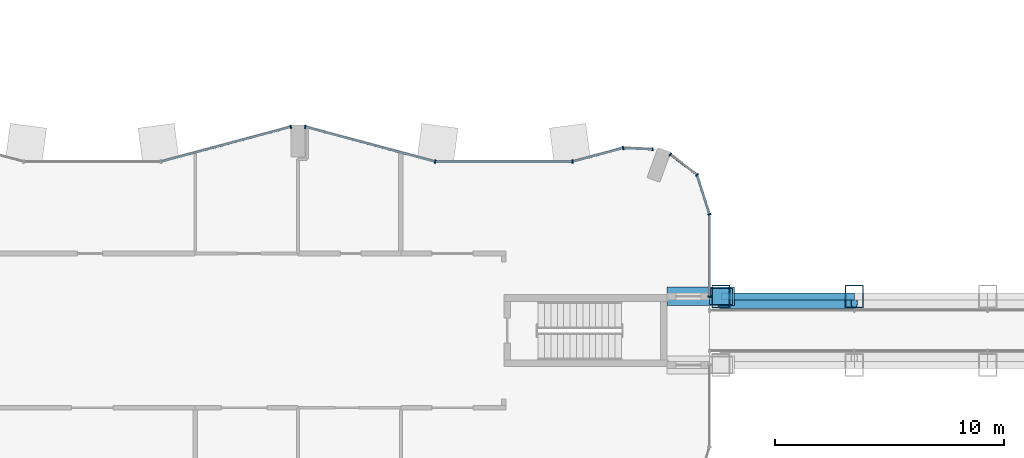
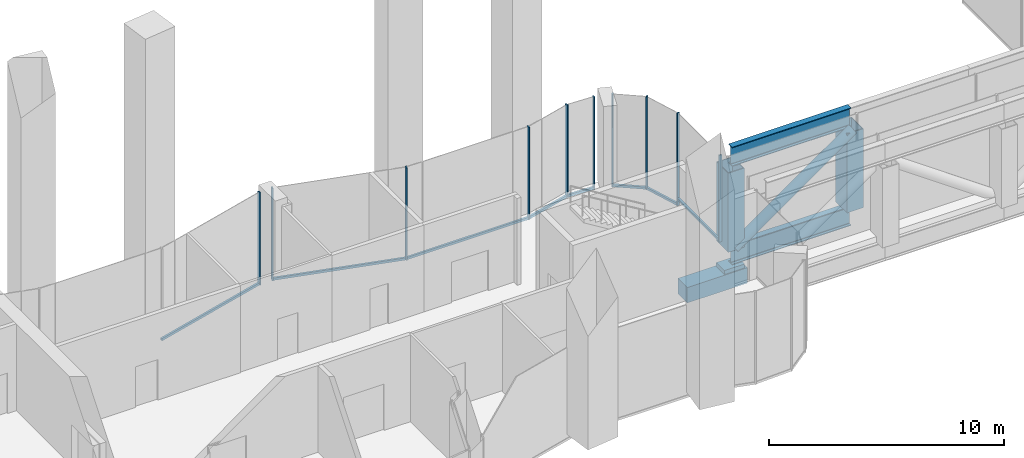
# One storey, part 7 of 23: 24 members, 1 beam, 8 elements without a shape of their own.
"""IFC4 building model written with IfcOpenShell, lengths in metres."""

from ifc_helpers import new_model, si_unit, direction, frame, origin, origin_2d, place, context, subcontext, project, spatial, rectangle, hollow_rectangle, hollow_circle, i_section, extrude, material, layer, layer_set, material_profile, profile_set, type_object, element, aggregate, save


model = new_model("IFC4")

# Units and contexts
model_context = context("Model", 3, precision=1e-05, world=origin(), true_north=direction((0.0, 1.0)))
body_context = subcontext(model_context, "Body", "Model", "MODEL_VIEW")
ifc_project = project(units=[si_unit("LENGTHUNIT", "METRE"), si_unit("AREAUNIT", "SQUARE_METRE"), si_unit("VOLUMEUNIT", "CUBIC_METRE"), si_unit("PLANEANGLEUNIT", "RADIAN"), si_unit("MASSUNIT", "GRAM", prefix="KILO")], contexts=[model_context])

# Site, building, storey
site_placement = place(None, origin())
site = spatial("IfcSite", under=ifc_project, at=site_placement, CompositionType="ELEMENT")
building_placement = place(site_placement, origin())
building = spatial("IfcBuilding", under=site, at=building_placement, Name="Plateau Cross Towers", CompositionType="ELEMENT")
storey_placement = place(building_placement, frame((0.0, 0.0, 123.800048828125)))
storey = spatial("IfcBuildingStorey", under=building, at=storey_placement, Name="L32", CompositionType="ELEMENT", Elevation=123.800048828125)

# Beam
ifc_material_1 = material(Name="Concrete C60/75", Category="concrete")
ifc_material_profile_1 = material_profile(ifc_material_1, rectangle(XDim=0.800048828125, YDim=0.800048828125, at=origin_2d()), Name="RC 800x800")
ifc_profile_set_1 = profile_set([ifc_material_profile_1], Name="Concrete C60/75")
beam_type = type_object("IfcBeamType", Name="Bridge corbel RC 800x800", PredefinedType="BEAM", material=ifc_profile_set_1)
beam_placement = place(storey_placement, frame((52.14990234375, 10.5, -1.900146484375), z_axis=(1.0, 0.0, 0.0), x_axis=(0.0, 1.0, 0.0)))
element("IfcBeam", 1, at=beam_placement, inside=storey, type_object=beam_type, Name="BR-S-CORBEL2", PredefinedType="BEAM", context=body_context, shape_type="SweptSolid", body=[
    extrude(rectangle(XDim=0.800048828125, YDim=0.800048828125, at=origin_2d()), origin(), (0.0, 0.0, 1.0), 2.9501953125),
])

# Curtain wall, member
ifc_material_2 = material(Name="Dark low-iron glass", Category="glass")
ifc_layer_1 = layer(ifc_material_2, 0.239990234375)
ifc_layer_set_1 = layer_set([ifc_layer_1], Name="Dark low-iron glass")
curtain_wall_type_1 = type_object("IfcCurtainWallType", Name="Curtain wall flush unitised CW-B", PredefinedType="NOTDEFINED", material=ifc_layer_set_1)
curtain_wall_1_placement = place(storey_placement, origin())
curtain_wall_1 = element("IfcCurtainWall", 2, at=curtain_wall_1_placement, inside=storey, type_object=curtain_wall_type_1, Name="ENV/A/L32/A540_105", PredefinedType="NOTDEFINED")
ifc_material_3 = material(Name="Black anodised aluminium", Category="aluminium")
ifc_material_profile_2 = material_profile(ifc_material_3, rectangle(XDim=0.06005859375, YDim=0.139892578125, at=origin_2d()), Name="MULLION 60x140")
ifc_profile_set_2 = profile_set([ifc_material_profile_2], Name="Black anodised aluminium")
member_type_1 = type_object("IfcMemberType", Name="Mullion 60x140 flush unitised", PredefinedType="MULLION", material=ifc_profile_set_2)
member_1_placement = place(storey_placement, frame((54.0, 10.5, 0.0), z_axis=(0.0, 0.0, 1.0), x_axis=(0.0, 1.0, 0.0)))
member_1 = element("IfcMember", 3, at=member_1_placement, type_object=member_type_1, Name="CW-B mullion 1", PredefinedType="MULLION", context=body_context, shape_type="SweptSolid", body=[
    extrude(rectangle(XDim=0.06005859375, YDim=0.139892578125, at=origin_2d()), origin(), (0.0, 0.0, 1.0), 4.5),
])

curtain_wall_2_placement = place(storey_placement, origin())
curtain_wall_2 = element("IfcCurtainWall", 4, at=curtain_wall_2_placement, inside=storey, type_object=curtain_wall_type_1, Name="ENV/A/L32/A540_141", PredefinedType="NOTDEFINED")
member_2_placement = place(storey_placement, frame((54.0, 14.0908203125, -0.300048828125), z_axis=(0.0, 0.0, 1.0), x_axis=(-0.300686174994, 0.95372313811, 0.0)))
member_2 = element("IfcMember", 5, at=member_2_placement, type_object=member_type_1, Name="CW-B mullion 1", PredefinedType="MULLION", context=body_context, shape_type="SweptSolid", body=[
    extrude(rectangle(XDim=0.06005859375, YDim=0.139892578125, at=origin_2d()), origin(), (0.0, 0.0, 1.0), 4.800048828125),
])

# Curtain wall, members
curtain_wall_3_placement = place(storey_placement, origin())
curtain_wall_3 = element("IfcCurtainWall", 6, at=curtain_wall_3_placement, inside=storey, type_object=curtain_wall_type_1, Name="ENV/A/L32/A535_158", PredefinedType="NOTDEFINED")
member_3_placement = place(storey_placement, frame((53.45751953125, 15.8115234375, -0.300048828125), z_axis=(0.0, 0.0, 1.0), x_axis=(-0.793315514529, 0.608810721331, 0.0)))
member_3 = element("IfcMember", 7, at=member_3_placement, type_object=member_type_1, Name="CW-B mullion 1", PredefinedType="MULLION", context=body_context, shape_type="SweptSolid", body=[
    extrude(rectangle(XDim=0.06005859375, YDim=0.139892578125, at=origin_2d()), origin(), (0.0, 0.0, 1.0), 4.800048828125),
])
member_4_placement = place(storey_placement, frame((52.290283203125, 16.707275390625, -0.300048828125), z_axis=(0.0, 0.0, 1.0), x_axis=(-0.793315514529, 0.608810721331, 0.0)))
member_4 = element("IfcMember", 8, at=member_4_placement, type_object=member_type_1, Name="CW-B mullion 2", PredefinedType="MULLION", context=body_context, shape_type="SweptSolid", body=[
    extrude(rectangle(XDim=0.06005859375, YDim=0.139892578125, at=origin_2d()), origin(), (0.0, 0.0, 1.0), 4.800048828125),
])

# Curtain wall, member
curtain_wall_4_placement = place(storey_placement, origin())
curtain_wall_4 = element("IfcCurtainWall", 9, at=curtain_wall_4_placement, inside=storey, type_object=curtain_wall_type_1, Name="ENV/A/L32/A515_169", PredefinedType="NOTDEFINED")
member_5_placement = place(storey_placement, frame((51.516357421875, 16.93212890625, -0.300048828125), z_axis=(0.0, 0.0, 1.0), x_axis=(-0.999043701491, 0.043722791671, 0.0)))
member_5 = element("IfcMember", 10, at=member_5_placement, type_object=member_type_1, Name="CW-B mullion 1", PredefinedType="MULLION", context=body_context, shape_type="SweptSolid", body=[
    extrude(rectangle(XDim=0.06005859375, YDim=0.139892578125, at=origin_2d()), origin(), (0.0, 0.0, 1.0), 4.800048828125),
])

ifc_layer_2 = layer(ifc_material_2, 0.260009765625)
ifc_layer_set_2 = layer_set([ifc_layer_2], Name="Dark low-iron glass")
curtain_wall_type_2 = type_object("IfcCurtainWallType", Name="Curtain wall fluted unitised CW-A", PredefinedType="NOTDEFINED", material=ifc_layer_set_2)
curtain_wall_5_placement = place(storey_placement, origin())
curtain_wall_5 = element("IfcCurtainWall", 11, at=curtain_wall_5_placement, inside=storey, type_object=curtain_wall_type_2, Name="ENV/A/L32/A502_170", PredefinedType="NOTDEFINED")
ifc_material_profile_3 = material_profile(ifc_material_3, rectangle(XDim=0.06005859375, YDim=0.159912109375, at=origin_2d()), Name="MULLION 60x160")
ifc_profile_set_3 = profile_set([ifc_material_profile_3], Name="Black anodised aluminium")
member_type_2 = type_object("IfcMemberType", Name="Mullion 60x160 fluted unitised", PredefinedType="MULLION", material=ifc_profile_set_3)
member_6_placement = place(storey_placement, frame((50.223876953125, 16.98876953125, -0.300048828125), z_axis=(0.0, 0.0, 1.0), x_axis=(-0.965957962328, -0.258699081978, 0.0)))
member_6 = element("IfcMember", 12, at=member_6_placement, type_object=member_type_2, Name="CW-A mullion 1", PredefinedType="MULLION", context=body_context, shape_type="SweptSolid", body=[
    extrude(rectangle(XDim=0.06005859375, YDim=0.159912109375, at=origin_2d()), origin(), (0.0, 0.0, 1.0), 4.800048828125),
])

curtain_wall_6_placement = place(storey_placement, origin())
curtain_wall_6 = element("IfcCurtainWall", 13, at=curtain_wall_6_placement, inside=storey, type_object=curtain_wall_type_2, Name="ENV/A/L32/A480_164", PredefinedType="NOTDEFINED")
member_7_placement = place(storey_placement, frame((48.0, 16.39306640625, -0.300048828125), z_axis=(0.0, 0.0, 1.0), x_axis=(-1.0, 0.0, 0.0)))
member_7 = element("IfcMember", 14, at=member_7_placement, type_object=member_type_2, Name="CW-A mullion 1", PredefinedType="MULLION", context=body_context, shape_type="SweptSolid", body=[
    extrude(rectangle(XDim=0.06005859375, YDim=0.159912109375, at=origin_2d()), origin(), (0.0, 0.0, 1.0), 4.800048828125),
])

# Curtain wall, members
curtain_wall_7_placement = place(storey_placement, origin())
curtain_wall_7 = element("IfcCurtainWall", 15, at=curtain_wall_7_placement, inside=storey, type_object=curtain_wall_type_2, Name="ENV/A/L32/A420_164", PredefinedType="NOTDEFINED")
member_8_placement = place(storey_placement, frame((42.0, 16.39306640625, -0.300048828125), z_axis=(0.0, 0.0, 1.0), x_axis=(-0.965957983404, 0.258699003279, 0.0)))
member_8 = element("IfcMember", 16, at=member_8_placement, type_object=member_type_2, Name="CW-A mullion 1", PredefinedType="MULLION", context=body_context, shape_type="SweptSolid", body=[
    extrude(rectangle(XDim=0.06005859375, YDim=0.159912109375, at=origin_2d()), origin(), (0.0, 0.0, 1.0), 4.800048828125),
])
member_9_placement = place(storey_placement, frame((36.31787109375, 17.914794921875, -0.300048828125), z_axis=(0.0, 0.0, 1.0), x_axis=(-0.965957983404, 0.258699003279, 0.0)))
member_9 = element("IfcMember", 17, at=member_9_placement, type_object=member_type_2, Name="CW-A mullion 2", PredefinedType="MULLION", context=body_context, shape_type="SweptSolid", body=[
    extrude(rectangle(XDim=0.06005859375, YDim=0.159912109375, at=origin_2d()), origin(), (0.0, 0.0, 1.0), 4.800048828125),
])

# Curtain wall, member
curtain_wall_8_placement = place(storey_placement, origin())
curtain_wall_8 = element("IfcCurtainWall", 18, at=curtain_wall_8_placement, inside=storey, type_object=curtain_wall_type_2, Name="ENV/A/L32/A357_179", PredefinedType="NOTDEFINED")
member_10_placement = place(storey_placement, frame((35.68212890625, 17.914794921875, -0.300048828125), z_axis=(0.0, 0.0, 1.0), x_axis=(-0.965957983404, -0.258699003279, 0.0)))
member_10 = element("IfcMember", 19, at=member_10_placement, type_object=member_type_2, Name="CW-A mullion 1", PredefinedType="MULLION", context=body_context, shape_type="SweptSolid", body=[
    extrude(rectangle(XDim=0.06005859375, YDim=0.159912109375, at=origin_2d()), origin(), (0.0, 0.0, 1.0), 4.800048828125),
])

# Members
ifc_material_4 = material(Name="Steel S355", Category="steel")
ifc_layer_3 = layer(ifc_material_4, 0.199951171875)
ifc_layer_set_3 = layer_set([ifc_layer_3], Name="Steel S355")
member_type_3 = type_object("IfcMemberType", Name="Pinned bridge bearing BRG 1000x700", PredefinedType="USERDEFINED", material=ifc_layer_set_3)
member_11_placement = place(storey_placement, frame((54.5, 10.5, -1.5), z_axis=(0.0, 0.0, 1.0), x_axis=(1.0, 0.0, 0.0)))
element("IfcMember", 20, at=member_11_placement, inside=storey, type_object=member_type_3, Name="Sky garden bridge pinned bearing 2", ObjectType="BEARING", PredefinedType="USERDEFINED", context=body_context, shape_type="SweptSolid", body=[
    extrude(rectangle(XDim=1.0, YDim=0.699951171875, at=origin_2d()), origin(), (0.0, 0.0, 1.0), 0.199951171875),
])
ifc_material_profile_4 = material_profile(ifc_material_4, i_section(OverallWidth=0.300048828125, OverallDepth=1.0, WebThickness=0.01904296875, FlangeThickness=0.035888671875, FilletRadius=0.030029296875, at=origin_2d()), Name="HE 1000 B")
ifc_profile_set_4 = profile_set([ifc_material_profile_4], Name="Steel S355")
member_type_4 = type_object("IfcMemberType", Name="Sky garden bridge truss chord HE 1000 B", PredefinedType="CHORD", material=ifc_profile_set_4)
for number, where, z_axis, x_axis, name in (
    (21, (54.5, 10.5, -0.800048828125), (1.0, 0.0, 0.0), (0.0, 1.0, 0.0), "BR-S-T2-B1"),
    (22, (54.5, 10.5, 4.300048828125), (1.0, 0.0, 0.0), (0.0, 1.0, 0.0), "BR-S-T2-T1"),
):
    element("IfcMember", number, at=place(storey_placement, frame(where, z_axis=z_axis, x_axis=x_axis)), inside=storey, type_object=member_type_4, Name=name, PredefinedType="CHORD", context=body_context, shape_type="SweptSolid", body=[
        extrude(i_section(OverallWidth=0.300048828125, OverallDepth=1.0, WebThickness=0.01904296875, FlangeThickness=0.035888671875, FilletRadius=0.030029296875, at=origin_2d()), origin(), (0.0, 0.0, 1.0), 5.833251953125),
    ])
ifc_material_profile_5 = material_profile(ifc_material_4, hollow_circle(Radius=0.25390625, WallThickness=0.02490234375, at=origin_2d()), Name="CHS 508x25")
ifc_profile_set_5 = profile_set([ifc_material_profile_5], Name="Steel S355")
member_type_5 = type_object("IfcMemberType", Name="Sky garden bridge truss diagonal CHS 508x25", PredefinedType="BRACE", material=ifc_profile_set_5)
member_12_placement = place(storey_placement, frame((54.5, 10.214111328125, -0.300048828125), z_axis=(0.818122036637, 0.0, 0.575044635805), x_axis=(0.0, 1.0, 0.0)))
element("IfcMember", 23, at=member_12_placement, inside=storey, type_object=member_type_5, Name="BR-S-T2-D1", PredefinedType="BRACE", context=body_context, shape_type="SweptSolid", body=[
    extrude(hollow_circle(Radius=0.25390625, WallThickness=0.02490234375, at=origin_2d()), origin(), (0.0, 0.0, 1.0), 7.130126953125),
])
ifc_material_profile_6 = material_profile(ifc_material_4, hollow_rectangle(XDim=0.800048828125, YDim=1.0, WallThickness=0.0400390625, at=origin_2d()), Name="BOX 1000x800x40")
ifc_profile_set_6 = profile_set([ifc_material_profile_6], Name="Steel S355")
member_type_6 = type_object("IfcMemberType", Name="Sky garden bridge truss post BOX 1000x800x40", PredefinedType="POST", material=ifc_profile_set_6)
for number, where, z_axis, x_axis, name in (
    (24, (54.5, 10.5, -0.300048828125), (0.0, 0.0, 1.0), (1.0, 0.0, 0.0), "BR-S-T2-V1"),
    (25, (60.333251953125, 10.5, -0.300048828125), (0.0, 0.0, 1.0), (1.0, 0.0, 0.0), "BR-S-T2-V2"),
):
    element("IfcMember", number, at=place(storey_placement, frame(where, z_axis=z_axis, x_axis=x_axis)), inside=storey, type_object=member_type_6, Name=name, PredefinedType="POST", context=body_context, shape_type="SweptSolid", body=[
        extrude(hollow_rectangle(XDim=0.800048828125, YDim=1.0, WallThickness=0.0400390625, at=origin_2d()), origin(), (0.0, 0.0, 1.0), 4.10009765625),
    ])

# Member
ifc_material_profile_7 = material_profile(ifc_material_3, rectangle(XDim=0.10009765625, YDim=0.1201171875, at=origin_2d()), Name="TRANSOM 100x120")
ifc_profile_set_7 = profile_set([ifc_material_profile_7], Name="Black anodised aluminium")
member_type_7 = type_object("IfcMemberType", Name="Transom 100x120 flush unitised", PredefinedType="USERDEFINED", material=ifc_profile_set_7)
member_13_placement = place(storey_placement, frame((54.0, 10.5, 0.06005859375), z_axis=(0.0, 1.0, 0.0), x_axis=(-1.0, 0.0, 0.0)))
member_13 = element("IfcMember", 26, at=member_13_placement, type_object=member_type_7, Name="CW-B transom", ObjectType="TRANSOM", PredefinedType="USERDEFINED", context=body_context, shape_type="SweptSolid", body=[
    extrude(rectangle(XDim=0.10009765625, YDim=0.1201171875, at=origin_2d()), origin(), (0.0, 0.0, 1.0), 3.5908203125),
])

aggregate(curtain_wall_1, [member_1, member_13])

member_14_placement = place(storey_placement, frame((54.0, 14.0908203125, -0.239990234375), z_axis=(-0.30067799945, 0.953725715626, 0.0), x_axis=(-0.953725715626, -0.30067799945, 0.0)))
member_14 = element("IfcMember", 27, at=member_14_placement, type_object=member_type_7, Name="CW-B transom", ObjectType="TRANSOM", PredefinedType="USERDEFINED", context=body_context, shape_type="SweptSolid", body=[
    extrude(rectangle(XDim=0.10009765625, YDim=0.1201171875, at=origin_2d()), origin(), (0.0, 0.0, 1.0), 1.80419921875),
])

aggregate(curtain_wall_2, [member_2, member_14])

member_15_placement = place(storey_placement, frame((53.45751953125, 15.8115234375, -0.239990234375), z_axis=(-0.793320508571, 0.608804213751, 0.0), x_axis=(-0.608804213751, -0.793320508571, 0.0)))
member_15 = element("IfcMember", 28, at=member_15_placement, type_object=member_type_7, Name="CW-B transom", ObjectType="TRANSOM", PredefinedType="USERDEFINED", context=body_context, shape_type="SweptSolid", body=[
    extrude(rectangle(XDim=0.10009765625, YDim=0.1201171875, at=origin_2d()), origin(), (0.0, 0.0, 1.0), 1.471435546875),
])

aggregate(curtain_wall_3, [member_3, member_4, member_15])

member_16_placement = place(storey_placement, frame((51.516357421875, 16.93212890625, -0.239990234375), z_axis=(-0.999041144614, 0.043781175963, 0.0), x_axis=(-0.043781175963, -0.999041144614, 0.0)))
member_16 = element("IfcMember", 29, at=member_16_placement, type_object=member_type_7, Name="CW-B transom", ObjectType="TRANSOM", PredefinedType="USERDEFINED", context=body_context, shape_type="SweptSolid", body=[
    extrude(rectangle(XDim=0.10009765625, YDim=0.1201171875, at=origin_2d()), origin(), (0.0, 0.0, 1.0), 1.293701171875),
])

aggregate(curtain_wall_4, [member_5, member_16])

ifc_material_profile_8 = material_profile(ifc_material_3, rectangle(XDim=0.10009765625, YDim=0.1201171875, at=origin_2d()), Name="TRANSOM 100x120")
ifc_profile_set_8 = profile_set([ifc_material_profile_8], Name="Black anodised aluminium")
member_type_8 = type_object("IfcMemberType", Name="Transom 100x120 fluted unitised", PredefinedType="USERDEFINED", material=ifc_profile_set_8)
member_17_placement = place(storey_placement, frame((50.223876953125, 16.98876953125, -0.239990234375), z_axis=(-0.965945685136, -0.258744919501, 0.0), x_axis=(0.258744919501, -0.965945685136, 0.0)))
member_17 = element("IfcMember", 30, at=member_17_placement, type_object=member_type_8, Name="CW-A transom", ObjectType="TRANSOM", PredefinedType="USERDEFINED", context=body_context, shape_type="SweptSolid", body=[
    extrude(rectangle(XDim=0.10009765625, YDim=0.1201171875, at=origin_2d()), origin(), (0.0, 0.0, 1.0), 2.30224609375),
])

aggregate(curtain_wall_5, [member_6, member_17])

member_18_placement = place(storey_placement, frame((48.0, 16.39306640625, -0.239990234375), z_axis=(-1.0, 0.0, 0.0), x_axis=(0.0, -1.0, 0.0)))
member_18 = element("IfcMember", 31, at=member_18_placement, type_object=member_type_8, Name="CW-A transom", ObjectType="TRANSOM", PredefinedType="USERDEFINED", context=body_context, shape_type="SweptSolid", body=[
    extrude(rectangle(XDim=0.10009765625, YDim=0.1201171875, at=origin_2d()), origin(), (0.0, 0.0, 1.0), 6.0),
])

aggregate(curtain_wall_6, [member_7, member_18])

member_19_placement = place(storey_placement, frame((42.0, 16.39306640625, -0.239990234375), z_axis=(-0.965959534794, 0.258693210465, 0.0), x_axis=(-0.258693210465, -0.965959534794, 0.0)))
member_19 = element("IfcMember", 32, at=member_19_placement, type_object=member_type_8, Name="CW-A transom", ObjectType="TRANSOM", PredefinedType="USERDEFINED", context=body_context, shape_type="SweptSolid", body=[
    extrude(rectangle(XDim=0.10009765625, YDim=0.1201171875, at=origin_2d()), origin(), (0.0, 0.0, 1.0), 5.88232421875),
])

aggregate(curtain_wall_7, [member_8, member_9, member_19])

member_20_placement = place(storey_placement, frame((35.68212890625, 17.914794921875, -0.239990234375), z_axis=(-0.965959534794, -0.258693210465, 0.0), x_axis=(0.258693210465, -0.965959534794, 0.0)))
member_20 = element("IfcMember", 33, at=member_20_placement, type_object=member_type_8, Name="CW-A transom", ObjectType="TRANSOM", PredefinedType="USERDEFINED", context=body_context, shape_type="SweptSolid", body=[
    extrude(rectangle(XDim=0.10009765625, YDim=0.1201171875, at=origin_2d()), origin(), (0.0, 0.0, 1.0), 5.88232421875),
])

aggregate(curtain_wall_8, [member_10, member_20])

save(model, "model.ifc")
